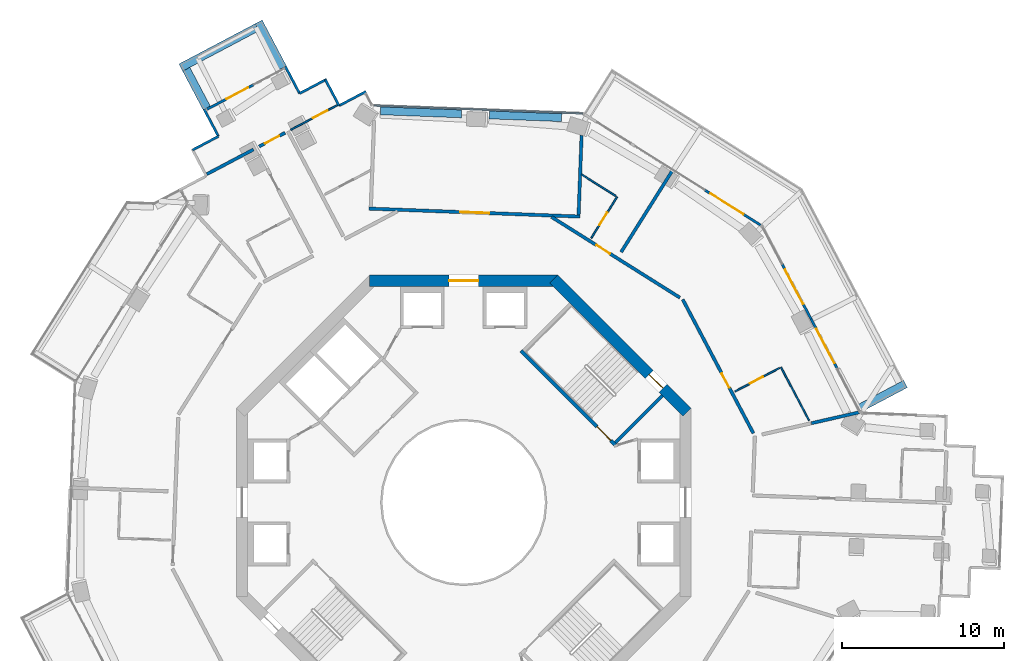
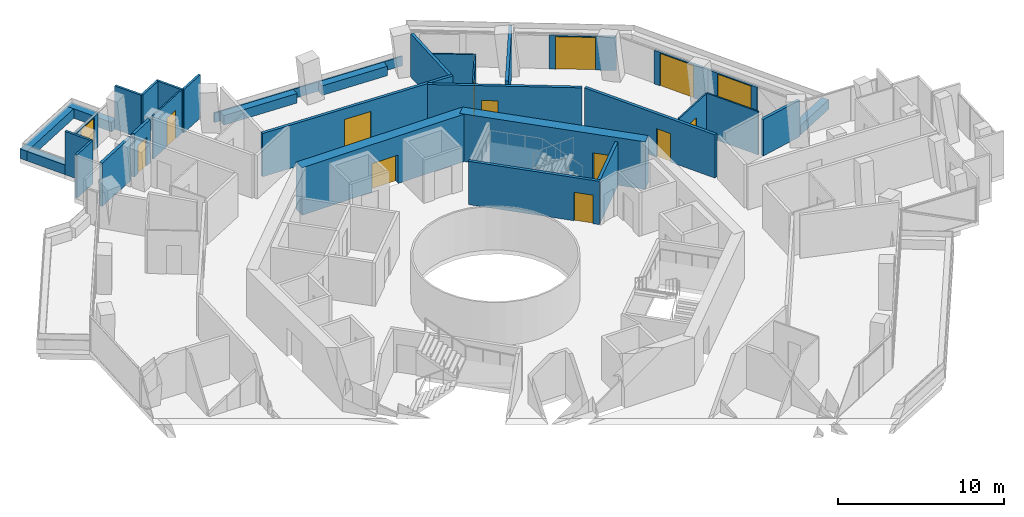
# One storey, part 19 of 23: 34 walls, 14 doors, 14 openings.
"""IFC4 building model written with IfcOpenShell, lengths in metres."""

from ifc_helpers import new_model, si_unit, direction, frame, frame_2d, origin, place, context, subcontext, project, spatial, rectangle, extrude, material, layer, layer_set, type_object, element, fill, save


model = new_model("IFC4")

# Units and contexts
model_context = context("Model", 3, precision=1e-05, world=origin(), true_north=direction((0.0, 1.0)))
body_context = subcontext(model_context, "Body", "Model", "MODEL_VIEW")
ifc_project = project(units=[si_unit("LENGTHUNIT", "METRE"), si_unit("AREAUNIT", "SQUARE_METRE"), si_unit("VOLUMEUNIT", "CUBIC_METRE"), si_unit("PLANEANGLEUNIT", "RADIAN"), si_unit("MASSUNIT", "GRAM", prefix="KILO")], contexts=[model_context])

# Site, building, storey
site_placement = place(None, origin())
site = spatial("IfcSite", under=ifc_project, at=site_placement, CompositionType="ELEMENT")
building_placement = place(site_placement, origin())
building = spatial("IfcBuilding", under=site, at=building_placement, Name="Verdalira Terraces Hotel", CompositionType="ELEMENT")
storey_placement = place(building_placement, frame((0.0, 0.0, 147.0)))
storey = spatial("IfcBuildingStorey", under=building, at=storey_placement, Name="L35", CompositionType="ELEMENT", Elevation=147.0)

# Walls
ifc_material_1 = material(Name="Concrete C40", Category="concrete")
ifc_layer_1 = layer(ifc_material_1, 0.5)
ifc_layer_set_1 = layer_set([ifc_layer_1], Name="Balcony planter trough with tree")
wall_type_1 = type_object("IfcWallType", Name="Balcony planter trough with tree", PredefinedType="SOLIDWALL", material=ifc_layer_set_1)
wall_1_placement = place(storey_placement, frame((-11.134033, 26.756592, 0.0), z_axis=(0.0, 0.0, 1.0), x_axis=(-0.467066996, 0.88422193, 0.0)))
element("IfcWall", 1, at=wall_1_placement, inside=storey, type_object=wall_type_1, Name="Balcony planter", PredefinedType="SOLIDWALL", context=body_context, shape_type="SweptSolid", body=[
    extrude(rectangle(XDim=3.198975, YDim=0.5, at=frame_2d((1.599609, 0.0))), origin(), (0.0, 0.0, 1.0), 0.699951),
])
wall_2_placement = place(storey_placement, frame((-12.732422, 29.247559, 0.0), z_axis=(0.0, 0.0, 1.0), x_axis=(-0.884255838, -0.467002797, 0.0)))
element("IfcWall", 2, at=wall_2_placement, inside=storey, type_object=wall_type_1, Name="Balcony planter", PredefinedType="SOLIDWALL", context=body_context, shape_type="SweptSolid", body=[
    extrude(rectangle(XDim=5.300049, YDim=0.5, at=frame_2d((2.649902, 0.0))), origin(), (0.0, 0.0, 1.0), 0.699951),
])
wall_3_placement = place(storey_placement, frame((-17.081055, 26.667969, 0.0), z_axis=(0.0, 0.0, 1.0), x_axis=(0.466968904, -0.884273738, 0.0)))
element("IfcWall", 3, at=wall_3_placement, inside=storey, type_object=wall_type_1, Name="Balcony planter", PredefinedType="SOLIDWALL", context=body_context, shape_type="SweptSolid", body=[
    extrude(rectangle(XDim=2.69873, YDim=0.5, at=frame_2d((1.349365, 0.0))), origin(), (0.0, 0.0, 1.0), 0.699951),
])
wall_4_placement = place(storey_placement, frame((24.370117, 5.80249, 0.0), z_axis=(0.0, 0.0, 1.0), x_axis=(0.884238577, 0.467035479, 0.0)))
element("IfcWall", 4, at=wall_4_placement, inside=storey, type_object=wall_type_1, Name="Balcony planter", PredefinedType="SOLIDWALL", context=body_context, shape_type="SweptSolid", body=[
    extrude(rectangle(XDim=3.199219, YDim=0.5, at=frame_2d((1.599609, 0.0))), origin(), (0.0, 0.0, 1.0), 0.699951),
])

# Wall, opening, door
ifc_material_2 = material(Name="Moisture-resistant gypsum board partition")
ifc_layer_2 = layer(ifc_material_2, 0.10009765625)
ifc_layer_set_2 = layer_set([ifc_layer_2], Name="Bathroom partition 100 mm")
wall_type_2 = type_object("IfcWallType", Name="Bathroom partition 100 mm", PredefinedType="PARTITIONING", material=ifc_layer_set_2)
wall_5_placement = place(storey_placement, frame((-7.770508, 24.460693, 0.0), z_axis=(0.0, 0.0, 1.0), x_axis=(-0.884251294, -0.467011402, 0.0)))
wall_5 = element("IfcWall", 5, at=wall_5_placement, inside=storey, type_object=wall_type_2, Name="Bathroom partition", PredefinedType="PARTITIONING", context=body_context, shape_type="SweptSolid", body=[
    extrude(rectangle(XDim=3.252197, YDim=0.100098, at=frame_2d((1.625977, 0.0))), origin(), (0.0, 0.0, 1.0), 3.189941),
])
opening_1_placement = place(wall_5_placement, frame((0.699951, 0.0, 0.0)))
opening_1 = element("IfcOpeningElement", 6, at=opening_1_placement, cuts=wall_5, Name="Opening L35-102", PredefinedType="OPENING", context=body_context, shape_type="SweptSolid", body=[
    extrude(rectangle(XDim=1.0, YDim=2.100098, at=frame_2d((0.5, 1.050049))), frame((0.0, 0.060059, 0.0), z_axis=(0.0, -1.0, 0.0), x_axis=(1.0, 0.0, 0.0)), (0.0, 0.0, 1.0), 0.120117),
])
ifc_material_3 = material(Name="Timber door", Category="wood")
door_type_1 = type_object("IfcDoorType", Name="Suite internal door 1000 x 2100", OperationType="NOTDEFINED", PredefinedType="DOOR", material=ifc_material_3)
door_1_placement = place(opening_1_placement, origin())
door_1 = element("IfcDoor", 7, at=door_1_placement, inside=storey, type_object=door_type_1, Name="Suite internal door 3501", OperationType="SINGLE_SWING_LEFT", OverallHeight=2.10009765625, OverallWidth=1.0, PredefinedType="DOOR", context=body_context, shape_type="SweptSolid", body=[
    extrude(rectangle(XDim=1.0, YDim=2.100098, at=frame_2d((0.5, 1.050049))), frame((0.0, 0.024902, 0.0), z_axis=(0.0, -1.0, 0.0), x_axis=(1.0, 0.0, 0.0)), (0.0, 0.0, 1.0), 0.050049),
])
fill(opening_1, door_1)

# Wall
wall_6_placement = place(storey_placement, frame((7.249023, 20.198975, 0.0), z_axis=(0.0, 0.0, 1.0), x_axis=(0.846572341, -0.532273681, 0.0)))
element("IfcWall", 8, at=wall_6_placement, inside=storey, type_object=wall_type_2, Name="Bathroom partition", PredefinedType="PARTITIONING", context=body_context, shape_type="SweptSolid", body=[
    extrude(rectangle(XDim=2.496582, YDim=0.100098, at=frame_2d((1.248291, 0.0))), origin(), (0.0, 0.0, 1.0), 3.189941),
])

# Wall, opening, door
wall_7_placement = place(storey_placement, frame((7.850342, 16.2771, 0.0), z_axis=(0.0, 0.0, 1.0), x_axis=(0.532286535, 0.846564259, 0.0)))
wall_7 = element("IfcWall", 9, at=wall_7_placement, inside=storey, type_object=wall_type_2, Name="Bathroom partition", PredefinedType="PARTITIONING", context=body_context, shape_type="SweptSolid", body=[
    extrude(rectangle(XDim=3.0, YDim=0.100098, at=frame_2d((1.5, 0.0))), origin(), (0.0, 0.0, 1.0), 3.189941),
])
opening_2_placement = place(wall_7_placement, frame((0.949951, 0.0, 0.0)))
opening_2 = element("IfcOpeningElement", 10, at=opening_2_placement, cuts=wall_7, Name="Opening L35-130", PredefinedType="OPENING", context=body_context, shape_type="SweptSolid", body=[
    extrude(rectangle(XDim=0.899902, YDim=2.100098, at=frame_2d((0.449951, 1.050049))), frame((0.0, 0.060059, 0.0), z_axis=(0.0, -1.0, 0.0), x_axis=(1.0, 0.0, 0.0)), (0.0, 0.0, 1.0), 0.120117),
])
ifc_material_4 = material(Name="Timber door", Category="wood")
door_type_2 = type_object("IfcDoorType", Name="Bathroom door 900 x 2100", OperationType="NOTDEFINED", PredefinedType="DOOR", material=ifc_material_4)
door_2_placement = place(opening_2_placement, origin())
door_2 = element("IfcDoor", 11, at=door_2_placement, inside=storey, type_object=door_type_2, Name="Bathroom door 3511", OperationType="SINGLE_SWING_RIGHT", OverallHeight=2.10009765625, OverallWidth=0.89990234375, PredefinedType="DOOR", context=body_context, shape_type="SweptSolid", body=[
    extrude(rectangle(XDim=0.899902, YDim=2.100098, at=frame_2d((0.449951, 1.050049))), frame((0.0, 0.024902, 0.0), z_axis=(0.0, -1.0, 0.0), x_axis=(1.0, 0.0, 0.0)), (0.0, 0.0, 1.0), 0.050049),
])
fill(opening_2, door_2)

wall_8_placement = place(storey_placement, frame((19.442139, 8.279541, 0.0), z_axis=(0.0, 0.0, 1.0), x_axis=(-0.884251068, -0.46701183, 0.0)))
wall_8 = element("IfcWall", 12, at=wall_8_placement, inside=storey, type_object=wall_type_2, Name="Bathroom partition", PredefinedType="PARTITIONING", context=body_context, shape_type="SweptSolid", body=[
    extrude(rectangle(XDim=3.100098, YDim=0.100098, at=frame_2d((1.550049, 0.0))), origin(), (0.0, 0.0, 1.0), 3.189941),
])
opening_3_placement = place(wall_8_placement, frame((1.149902, 0.0, 0.0)))
opening_3 = element("IfcOpeningElement", 13, at=opening_3_placement, cuts=wall_8, Name="Opening L35-128", PredefinedType="OPENING", context=body_context, shape_type="SweptSolid", body=[
    extrude(rectangle(XDim=0.899902, YDim=2.100098, at=frame_2d((0.449951, 1.050049))), frame((0.0, 0.060059, 0.0), z_axis=(0.0, -1.0, 0.0), x_axis=(1.0, 0.0, 0.0)), (0.0, 0.0, 1.0), 0.120117),
])
door_3_placement = place(opening_3_placement, origin())
door_3 = element("IfcDoor", 14, at=door_3_placement, inside=storey, type_object=door_type_2, Name="Bathroom door 3510", OperationType="SINGLE_SWING_LEFT", OverallHeight=2.10009765625, OverallWidth=0.89990234375, PredefinedType="DOOR", context=body_context, shape_type="SweptSolid", body=[
    extrude(rectangle(XDim=0.899902, YDim=2.100098, at=frame_2d((0.449951, 1.050049))), frame((0.0, 0.024902, 0.0), z_axis=(0.0, -1.0, 0.0), x_axis=(1.0, 0.0, 0.0)), (0.0, 0.0, 1.0), 0.050049),
])
fill(opening_3, door_3)

# Wall
wall_9_placement = place(storey_placement, frame((19.530518, 8.326172, 0.0), z_axis=(0.0, 0.0, 1.0), x_axis=(0.467009214, -0.884252449, 0.0)))
element("IfcWall", 15, at=wall_9_placement, inside=storey, type_object=wall_type_2, Name="Bathroom partition", PredefinedType="PARTITIONING", context=body_context, shape_type="SweptSolid", body=[
    extrude(rectangle(XDim=3.703857, YDim=0.100098, at=frame_2d((1.852051, 0.0))), origin(), (0.0, 0.0, 1.0), 3.189941),
])

# Wall, opening, door
ifc_material_5 = material(Name="Concrete C50", Category="concrete")
ifc_layer_3 = layer(ifc_material_5, 0.199951171875)
ifc_layer_set_3 = layer_set([ifc_layer_3], Name="Core RC wall 200 C50")
wall_type_3 = type_object("IfcWallType", Name="Core RC wall 200 C50", PredefinedType="SOLIDWALL", material=ifc_layer_set_3)
wall_10_placement = place(storey_placement, frame((3.5354, 9.33374, 0.0), z_axis=(0.0, 0.0, 1.0), x_axis=(0.707106781, -0.707106781, 0.0)))
wall_10 = element("IfcWall", 16, at=wall_10_placement, inside=storey, type_object=wall_type_3, Name="L35 stair ST1 front wall", PredefinedType="SOLIDWALL", context=body_context, shape_type="SweptSolid", body=[
    extrude(rectangle(XDim=8.200195, YDim=0.199951, at=frame_2d((4.100098, 0.0))), origin(), (0.0, 0.0, 1.0), 3.189941),
])
opening_4_placement = place(wall_10_placement, frame((6.600098, 0.0, 0.0)))
opening_4 = element("IfcOpeningElement", 17, at=opening_4_placement, cuts=wall_10, Name="Opening L35-809", PredefinedType="OPENING", context=body_context, shape_type="SweptSolid", body=[
    extrude(rectangle(XDim=1.199951, YDim=2.100098, at=frame_2d((0.600098, 1.050049))), frame((0.0, 0.109863, 0.0), z_axis=(0.0, -1.0, 0.0), x_axis=(1.0, 0.0, 0.0)), (0.0, 0.0, 1.0), 0.219971),
])
ifc_material_6 = material(Name="Steel fire door", Category="steel")
door_type_3 = type_object("IfcDoorType", Name="Stair door 1200 x 2100", OperationType="NOTDEFINED", PredefinedType="DOOR", material=ifc_material_6)
door_4_placement = place(opening_4_placement, origin())
door_4 = element("IfcDoor", 18, at=door_4_placement, inside=storey, type_object=door_type_3, Name="Stair door ST1 L35", OperationType="SINGLE_SWING_RIGHT", OverallHeight=2.10009765625, OverallWidth=1.199951171875, PredefinedType="DOOR", context=body_context, shape_type="SweptSolid", body=[
    extrude(rectangle(XDim=1.199951, YDim=2.100098, at=frame_2d((0.600098, 1.050049))), frame((0.0, 0.024902, 0.0), z_axis=(0.0, -1.0, 0.0), x_axis=(1.0, 0.0, 0.0)), (0.0, 0.0, 1.0), 0.050049),
])
fill(opening_4, door_4)

# Wall
wall_11_placement = place(storey_placement, frame((9.33374, 3.677002, 0.0), z_axis=(0.0, 0.0, 1.0), x_axis=(0.707106781, 0.707106781, 0.0)))
element("IfcWall", 19, at=wall_11_placement, inside=storey, type_object=wall_type_3, Name="L35 stair ST1 end wall 1", PredefinedType="SOLIDWALL", context=body_context, shape_type="SweptSolid", body=[
    extrude(rectangle(XDim=4.100098, YDim=0.199951, at=frame_2d((2.050049, 0.0))), origin(), (0.0, 0.0, 1.0), 3.189941),
])

# Wall, opening, door
ifc_material_7 = material(Name="Concrete C60", Category="concrete")
ifc_layer_4 = layer(ifc_material_7, 0.699951171875)
ifc_layer_set_4 = layer_set([ifc_layer_4], Name="Core wall 700 C60")
wall_type_4 = type_object("IfcWallType", Name="Core wall 700 C60", PredefinedType="SHEAR", material=ifc_layer_set_4)
wall_12_placement = place(storey_placement, frame((13.752441, 5.551514, 0.0), z_axis=(0.0, 0.0, 1.0), x_axis=(-0.707106781, 0.707106781, 0.0)))
wall_12 = element("IfcWall", 20, at=wall_12_placement, inside=storey, type_object=wall_type_4, Name="Core wall CW-L35-2", PredefinedType="SHEAR", context=body_context, shape_type="SweptSolid", body=[
    extrude(rectangle(XDim=11.5979, YDim=0.699951, at=frame_2d((5.798828, 0.0))), origin(), (0.0, 0.0, 1.0), 3.5),
])
opening_5_placement = place(wall_12_placement, frame((2.099121, 0.0, 0.0)))
opening_5 = element("IfcOpeningElement", 21, at=opening_5_placement, cuts=wall_12, Name="Opening L35-816", PredefinedType="OPENING", context=body_context, shape_type="SweptSolid", body=[
    extrude(rectangle(XDim=1.199951, YDim=2.100098, at=frame_2d((0.600098, 1.050049))), frame((0.0, 0.359863, 0.0), z_axis=(0.0, -1.0, 0.0), x_axis=(1.0, 0.0, 0.0)), (0.0, 0.0, 1.0), 0.719971),
])
door_5_placement = place(opening_5_placement, origin())
door_5 = element("IfcDoor", 22, at=door_5_placement, inside=storey, type_object=door_type_3, Name="Stair exit door ST1 L35", OperationType="SINGLE_SWING_LEFT", OverallHeight=2.10009765625, OverallWidth=1.199951171875, PredefinedType="DOOR", context=body_context, shape_type="SweptSolid", body=[
    extrude(rectangle(XDim=1.199951, YDim=2.100098, at=frame_2d((0.600098, 1.050049))), frame((0.0, 0.024902, 0.0), z_axis=(0.0, -1.0, 0.0), x_axis=(1.0, 0.0, 0.0)), (0.0, 0.0, 1.0), 0.050049),
])
fill(opening_5, door_5)

wall_13_placement = place(storey_placement, frame((5.799072, 13.649902, 0.0), z_axis=(0.0, 0.0, 1.0), x_axis=(-1.0, 0.0, 0.0)))
wall_13 = element("IfcWall", 23, at=wall_13_placement, inside=storey, type_object=wall_type_4, Name="Core wall CW-L35-3", PredefinedType="SHEAR", context=body_context, shape_type="SweptSolid", body=[
    extrude(rectangle(XDim=11.598145, YDim=0.699951, at=frame_2d((5.799072, 0.0))), origin(), (0.0, 0.0, 1.0), 3.5),
])
opening_6_placement = place(wall_13_placement, frame((4.898926, 0.0, 0.0)))
opening_6 = element("IfcOpeningElement", 24, at=opening_6_placement, cuts=wall_13, Name="Opening L35-813", PredefinedType="OPENING", context=body_context, shape_type="SweptSolid", body=[
    extrude(rectangle(XDim=1.800049, YDim=2.100098, at=frame_2d((0.899902, 1.050049))), frame((0.0, 0.359863, 0.0), z_axis=(0.0, -1.0, 0.0), x_axis=(1.0, 0.0, 0.0)), (0.0, 0.0, 1.0), 0.719971),
])
ifc_material_8 = material(Name="Steel fire door", Category="steel")
door_type_4 = type_object("IfcDoorType", Name="Core entry door pair 1800 x 2100", OperationType="NOTDEFINED", PredefinedType="DOOR", material=ifc_material_8)
door_6_placement = place(opening_6_placement, origin())
door_6 = element("IfcDoor", 25, at=door_6_placement, inside=storey, type_object=door_type_4, Name="Core entry door L35 2", OperationType="DOUBLE_DOOR_SINGLE_SWING", OverallHeight=2.10009765625, OverallWidth=1.800048828125, PredefinedType="DOOR", context=body_context, shape_type="SweptSolid", body=[
    extrude(rectangle(XDim=1.800049, YDim=2.100098, at=frame_2d((0.899902, 1.050049))), frame((0.0, 0.024902, 0.0), z_axis=(0.0, -1.0, 0.0), x_axis=(1.0, 0.0, 0.0)), (0.0, 0.0, 1.0), 0.050049),
])
fill(opening_6, door_6)

# Walls
ifc_material_9 = material(Name="Fire-rated gypsum board wall")
ifc_layer_5 = layer(ifc_material_9, 0.199951171875)
ifc_layer_set_5 = layer_set([ifc_layer_5], Name="Demising wall 200 mm")
wall_type_5 = type_object("IfcWallType", Name="Demising wall 200 mm", PredefinedType="SOLIDWALL", material=ifc_layer_set_5)
wall_14_placement = place(storey_placement, frame((-12.943604, 21.728516, 0.0), z_axis=(0.0, 0.0, 1.0), x_axis=(-0.884265923, -0.466983702, 0.0)))
element("IfcWall", 26, at=wall_14_placement, inside=storey, type_object=wall_type_5, Name="Demising wall", PredefinedType="SOLIDWALL", context=body_context, shape_type="SweptSolid", body=[
    extrude(rectangle(XDim=3.251953, YDim=0.199951, at=frame_2d((1.625977, 0.0))), origin(), (0.0, 0.0, 1.0), 3.189941),
])
wall_15_placement = place(storey_placement, frame((9.690674, 15.412109, 0.0), z_axis=(0.0, 0.0, 1.0), x_axis=(0.532272342, 0.846573183, 0.0)))
element("IfcWall", 27, at=wall_15_placement, inside=storey, type_object=wall_type_5, Name="Demising wall", PredefinedType="SOLIDWALL", context=body_context, shape_type="SweptSolid", body=[
    extrude(rectangle(XDim=5.902588, YDim=0.199951, at=frame_2d((2.951172, 0.0))), origin(), (0.0, 0.0, 1.0), 3.189941),
])
ifc_material_10 = material(Name="Fire-rated gypsum board wall")
ifc_layer_6 = layer(ifc_material_10, 0.199951171875)
ifc_layer_set_6 = layer_set([ifc_layer_6], Name="Demising wall 200 mm to beam soffit")
wall_type_6 = type_object("IfcWallType", Name="Demising wall 200 mm to beam soffit", PredefinedType="SOLIDWALL", material=ifc_layer_set_6)
wall_16_placement = place(storey_placement, frame((21.403809, 4.878418, 0.0), z_axis=(0.0, 0.0, 1.0), x_axis=(0.974995688, 0.22222378, 0.0)))
element("IfcWall", 28, at=wall_16_placement, inside=storey, type_object=wall_type_6, Name="Demising wall", PredefinedType="SOLIDWALL", context=body_context, shape_type="SweptSolid", body=[
    extrude(rectangle(XDim=3.01123, YDim=0.199951, at=frame_2d((1.505615, 0.0))), origin(), (0.0, 0.0, 1.0), 2.689941),
])

# Wall, opening, door
ifc_material_11 = material(Name="Fire-rated gypsum board wall")
ifc_layer_7 = layer(ifc_material_11, 0.199951171875)
ifc_layer_set_7 = layer_set([ifc_layer_7], Name="Guest corridor wall 200 mm")
wall_type_7 = type_object("IfcWallType", Name="Guest corridor wall 200 mm", PredefinedType="SOLIDWALL", material=ifc_layer_set_7)
wall_17_placement = place(storey_placement, frame((-12.593262, 21.913574, 0.0), z_axis=(0.0, 0.0, 1.0), x_axis=(0.884245055, 0.467023215, 0.0)))
wall_17 = element("IfcWall", 29, at=wall_17_placement, inside=storey, type_object=wall_type_7, Name="Guest corridor wall", PredefinedType="SOLIDWALL", context=body_context, shape_type="SweptSolid", body=[
    extrude(rectangle(XDim=1.803955, YDim=0.199951, at=frame_2d((0.901855, 0.0))), origin(), (0.0, 0.0, 1.0), 3.189941),
])
opening_7_placement = place(wall_17_placement, frame((0.399902, 0.0, 0.0)))
opening_7 = element("IfcOpeningElement", 30, at=opening_7_placement, cuts=wall_17, Name="Opening L35-101", PredefinedType="OPENING", context=body_context, shape_type="SweptSolid", body=[
    extrude(rectangle(XDim=1.0, YDim=2.100098, at=frame_2d((0.5, 1.050049))), frame((0.0, 0.109863, 0.0), z_axis=(0.0, -1.0, 0.0), x_axis=(1.0, 0.0, 0.0)), (0.0, 0.0, 1.0), 0.219971),
])
ifc_material_12 = material(Name="Timber fire door", Category="wood")
door_type_5 = type_object("IfcDoorType", Name="Guest entry door 1000 x 2100", OperationType="NOTDEFINED", PredefinedType="DOOR", material=ifc_material_12)
door_7_placement = place(opening_7_placement, origin())
door_7 = element("IfcDoor", 31, at=door_7_placement, inside=storey, type_object=door_type_5, Name="Guest entry door 3501", OperationType="SINGLE_SWING_LEFT", OverallHeight=2.10009765625, OverallWidth=1.0, PredefinedType="DOOR", context=body_context, shape_type="SweptSolid", body=[
    extrude(rectangle(XDim=1.0, YDim=2.100098, at=frame_2d((0.5, 1.050049))), frame((0.0, 0.024902, 0.0), z_axis=(0.0, -1.0, 0.0), x_axis=(1.0, 0.0, 0.0)), (0.0, 0.0, 1.0), 0.050049),
])
fill(opening_7, door_7)

wall_18_placement = place(storey_placement, frame((5.407227, 17.576904, 0.0), z_axis=(0.0, 0.0, 1.0), x_axis=(0.846570227, -0.532277043, 0.0)))
wall_18 = element("IfcWall", 32, at=wall_18_placement, inside=storey, type_object=wall_type_7, Name="Guest corridor wall", PredefinedType="SOLIDWALL", context=body_context, shape_type="SweptSolid", body=[
    extrude(rectangle(XDim=9.336182, YDim=0.199951, at=frame_2d((4.667969, 0.0))), origin(), (0.0, 0.0, 1.0), 3.189941),
])
opening_8_placement = place(wall_18_placement, frame((3.26001, 0.0, 0.0)))
opening_8 = element("IfcOpeningElement", 33, at=opening_8_placement, cuts=wall_18, Name="Opening L35-129", PredefinedType="OPENING", context=body_context, shape_type="SweptSolid", body=[
    extrude(rectangle(XDim=1.0, YDim=2.100098, at=frame_2d((0.5, 1.050049))), frame((0.0, 0.109863, 0.0), z_axis=(0.0, -1.0, 0.0), x_axis=(1.0, 0.0, 0.0)), (0.0, 0.0, 1.0), 0.219971),
])
door_8_placement = place(opening_8_placement, origin())
door_8 = element("IfcDoor", 34, at=door_8_placement, inside=storey, type_object=door_type_5, Name="Guest entry door 3511", OperationType="SINGLE_SWING_RIGHT", OverallHeight=2.10009765625, OverallWidth=1.0, PredefinedType="DOOR", context=body_context, shape_type="SweptSolid", body=[
    extrude(rectangle(XDim=1.0, YDim=2.100098, at=frame_2d((0.5, 1.050049))), frame((0.0, 0.024902, 0.0), z_axis=(0.0, -1.0, 0.0), x_axis=(1.0, 0.0, 0.0)), (0.0, 0.0, 1.0), 0.050049),
])
fill(opening_8, door_8)

wall_19_placement = place(storey_placement, frame((13.480957, 12.500244, 0.0), z_axis=(0.0, 0.0, 1.0), x_axis=(0.466998873, -0.884257911, 0.0)))
wall_19 = element("IfcWall", 35, at=wall_19_placement, inside=storey, type_object=wall_type_7, Name="Guest corridor wall", PredefinedType="SOLIDWALL", context=body_context, shape_type="SweptSolid", body=[
    extrude(rectangle(XDim=9.316162, YDim=0.199951, at=frame_2d((4.658203, 0.0))), origin(), (0.0, 0.0, 1.0), 3.189941),
])
opening_9_placement = place(wall_19_placement, frame((5.149902, 0.0, 0.0)))
opening_9 = element("IfcOpeningElement", 36, at=opening_9_placement, cuts=wall_19, Name="Opening L35-127", PredefinedType="OPENING", context=body_context, shape_type="SweptSolid", body=[
    extrude(rectangle(XDim=1.0, YDim=2.100098, at=frame_2d((0.5, 1.050049))), frame((0.0, 0.109863, 0.0), z_axis=(0.0, -1.0, 0.0), x_axis=(1.0, 0.0, 0.0)), (0.0, 0.0, 1.0), 0.219971),
])
door_9_placement = place(opening_9_placement, origin())
door_9 = element("IfcDoor", 37, at=door_9_placement, inside=storey, type_object=door_type_5, Name="Guest entry door 3510", OperationType="SINGLE_SWING_LEFT", OverallHeight=2.10009765625, OverallWidth=1.0, PredefinedType="DOOR", context=body_context, shape_type="SweptSolid", body=[
    extrude(rectangle(XDim=1.0, YDim=2.100098, at=frame_2d((0.5, 1.050049))), frame((0.0, 0.024902, 0.0), z_axis=(0.0, -1.0, 0.0), x_axis=(1.0, 0.0, 0.0)), (0.0, 0.0, 1.0), 0.050049),
])
fill(opening_9, door_9)

ifc_material_13 = material(Name="Terracotta cladding", Category="masonry")
ifc_layer_8 = layer(ifc_material_13, 0.199951171875)
ifc_layer_set_8 = layer_set([ifc_layer_8], Name="Loggia back wall 200")
wall_type_8 = type_object("IfcWallType", Name="Loggia back wall 200", PredefinedType="SOLIDWALL", material=ifc_layer_set_8)
wall_20_placement = place(storey_placement, frame((-5.822266, 18.090576, 0.0), z_axis=(0.0, 0.0, 1.0), x_axis=(0.999289416, -0.037691672, 0.0)))
wall_20 = element("IfcWall", 38, at=wall_20_placement, inside=storey, type_object=wall_type_8, Name="Loggia back wall", PredefinedType="SOLIDWALL", context=body_context, shape_type="SweptSolid", body=[
    extrude(rectangle(XDim=13.0, YDim=0.199951, at=frame_2d((6.5, 0.0))), origin(), (0.0, 0.0, 1.0), 3.189941),
])
opening_10_placement = place(wall_20_placement, frame((5.600098, 0.0, 0.0)))
opening_10 = element("IfcOpeningElement", 39, at=opening_10_placement, cuts=wall_20, Name="Opening L35-L01", PredefinedType="OPENING", context=body_context, shape_type="SweptSolid", body=[
    extrude(rectangle(XDim=1.800049, YDim=2.399902, at=frame_2d((0.899902, 1.199951))), frame((0.0, 0.109863, 0.0), z_axis=(0.0, -1.0, 0.0), x_axis=(1.0, 0.0, 0.0)), (0.0, 0.0, 1.0), 0.219971),
])
ifc_material_14 = material(Name="Clear glass", Category="glass")
door_type_6 = type_object("IfcDoorType", Name="Garden double door 1800x2400", OperationType="NOTDEFINED", PredefinedType="DOOR", material=ifc_material_14)
door_10_placement = place(opening_10_placement, origin())
door_10 = element("IfcDoor", 40, at=door_10_placement, inside=storey, type_object=door_type_6, Name="Loggia double door", OperationType="DOUBLE_DOOR_SINGLE_SWING", OverallHeight=2.39990234375, OverallWidth=1.800048828125, PredefinedType="DOOR", context=body_context, shape_type="SweptSolid", body=[
    extrude(rectangle(XDim=1.800049, YDim=2.399902, at=frame_2d((0.899902, 1.199951))), frame((0.0, 0.024902, 0.0), z_axis=(0.0, -1.0, 0.0), x_axis=(1.0, 0.0, 0.0)), (0.0, 0.0, 1.0), 0.050049),
])
fill(opening_10, door_10)

# Walls
wall_21_placement = place(storey_placement, frame((7.25708, 22.605225, 0.0), z_axis=(0.0, 0.0, 1.0), x_axis=(-0.037683686, -0.999289718, 0.0)))
element("IfcWall", 41, at=wall_21_placement, inside=storey, type_object=wall_type_8, Name="Loggia side wall", PredefinedType="SOLIDWALL", context=body_context, shape_type="SweptSolid", body=[
    extrude(rectangle(XDim=4.904297, YDim=0.199951, at=frame_2d((2.452148, 0.0))), origin(), (0.0, 0.0, 1.0), 3.189941),
])
ifc_material_15 = material(Name="Concrete C40", Category="concrete")
ifc_layer_9 = layer(ifc_material_15, 0.5)
ifc_layer_set_9 = layer_set([ifc_layer_9], Name="Loggia planter trough with tree")
wall_type_9 = type_object("IfcWallType", Name="Loggia planter trough with tree", PredefinedType="SOLIDWALL", material=ifc_layer_set_9)
wall_22_placement = place(storey_placement, frame((6.029541, 23.697998, 0.0), z_axis=(0.0, 0.0, 1.0), x_axis=(-0.999289619, 0.037686305, 0.0)))
element("IfcWall", 42, at=wall_22_placement, inside=storey, type_object=wall_type_9, Name="Loggia planter", PredefinedType="SOLIDWALL", context=body_context, shape_type="SweptSolid", body=[
    extrude(rectangle(XDim=4.457031, YDim=0.5, at=frame_2d((2.228516, 0.0))), origin(), (0.0, 0.0, 1.0), 0.699951),
])
wall_23_placement = place(storey_placement, frame((-0.133545, 23.93042, 0.0), z_axis=(0.0, 0.0, 1.0), x_axis=(-0.999289597, 0.037686878, 0.0)))
element("IfcWall", 43, at=wall_23_placement, inside=storey, type_object=wall_type_9, Name="Loggia planter", PredefinedType="SOLIDWALL", context=body_context, shape_type="SweptSolid", body=[
    extrude(rectangle(XDim=4.988281, YDim=0.5, at=frame_2d((2.494141, 0.0))), origin(), (0.0, 0.0, 1.0), 0.699951),
])
ifc_material_16 = material(Name="Concrete C40", Category="concrete")
ifc_layer_10 = layer(ifc_material_16, 0.10009765625)
ifc_layer_set_10 = layer_set([ifc_layer_10], Name="Loggia upstand 100")
wall_type_10 = type_object("IfcWallType", Name="Loggia upstand 100", PredefinedType="SOLIDWALL", material=ifc_layer_set_10)
wall_24_placement = place(storey_placement, frame((7.327881, 23.949219, 0.0), z_axis=(0.0, 0.0, 1.0), x_axis=(-0.999289627, 0.037686082, 0.0)))
element("IfcWall", 44, at=wall_24_placement, inside=storey, type_object=wall_type_10, Name="Loggia upstand", PredefinedType="SOLIDWALL", context=body_context, shape_type="SweptSolid", body=[
    extrude(rectangle(XDim=12.839844, YDim=0.100098, at=frame_2d((6.419922, 0.0))), origin(), (0.0, 0.0, 1.0), 0.699951),
])
ifc_material_17 = material(Name="Terracotta cladding", Category="masonry")
ifc_layer_11 = layer(ifc_material_17, 0.14990234375)
ifc_layer_set_11 = layer_set([ifc_layer_11], Name="Terracotta clad wall 150")
wall_type_11 = type_object("IfcWallType", Name="Terracotta clad wall 150", PredefinedType="SOLIDWALL", material=ifc_layer_set_11)
wall_25_placement = place(storey_placement, frame((-6.012939, 25.303955, 0.0), z_axis=(0.0, 0.0, 1.0), x_axis=(-0.884313082, -0.466894392, 0.0)))
element("IfcWall", 45, at=wall_25_placement, inside=storey, type_object=wall_type_11, Name="Terracotta cladding wall", PredefinedType="SOLIDWALL", context=body_context, shape_type="SweptSolid", body=[
    extrude(rectangle(XDim=1.875244, YDim=0.149902, at=frame_2d((0.9375, 0.0))), origin(), (0.0, 0.0, 1.0), 3.189941),
])
wall_26_placement = place(storey_placement, frame((-7.671143, 24.428467, 0.0), z_axis=(0.0, 0.0, 1.0), x_axis=(-0.467014985, 0.884249401, 0.0)))
element("IfcWall", 46, at=wall_26_placement, inside=storey, type_object=wall_type_11, Name="Terracotta cladding wall", PredefinedType="SOLIDWALL", context=body_context, shape_type="SweptSolid", body=[
    extrude(rectangle(XDim=1.799805, YDim=0.149902, at=frame_2d((0.899902, 0.0))), origin(), (0.0, 0.0, 1.0), 3.189941),
])
for number, where, z_axis, x_axis, name in (
    (47, (-8.445312, 26.055176, 0.0), (0.0, 0.0, 1.0), (-0.884230925, -0.467049967, 0.0), "Terracotta cladding wall"),
    (48, (-10.103271, 25.179443, 0.0), (0.0, 0.0, 1.0), (-0.467049967, 0.884230925, 0.0), "Terracotta cladding wall"),
    (49, (-15.975098, 24.19873, 0.0), (0.0, 0.0, 1.0), (0.467049967, -0.884230925, 0.0), "Terracotta cladding wall"),
):
    element("IfcWall", number, at=place(storey_placement, frame(where, z_axis=z_axis, x_axis=x_axis)), inside=storey, type_object=wall_type_11, Name=name, PredefinedType="SOLIDWALL", context=body_context, shape_type="SweptSolid", body=[
        extrude(rectangle(XDim=1.875, YDim=0.149902, at=frame_2d((0.9375, 0.0))), origin(), (0.0, 0.0, 1.0), 3.189941),
    ])
wall_27_placement = place(storey_placement, frame((-15.099365, 22.540771, 0.0), z_axis=(0.0, 0.0, 1.0), x_axis=(-0.884249401, -0.467014985, 0.0)))
element("IfcWall", 50, at=wall_27_placement, inside=storey, type_object=wall_type_11, Name="Terracotta cladding wall", PredefinedType="SOLIDWALL", context=body_context, shape_type="SweptSolid", body=[
    extrude(rectangle(XDim=1.799805, YDim=0.149902, at=frame_2d((0.899902, 0.0))), origin(), (0.0, 0.0, 1.0), 3.189941),
])

# Wall, opening, door
ifc_material_18 = material(Name="Terracotta cladding", Category="masonry")
ifc_layer_12 = layer(ifc_material_18, 0.14990234375)
ifc_layer_set_12 = layer_set([ifc_layer_12], Name="Terracotta door pier 150")
wall_type_12 = type_object("IfcWallType", Name="Terracotta door pier 150", PredefinedType="SOLIDWALL", material=ifc_layer_set_12)
wall_28_placement = place(storey_placement, frame((-12.920166, 25.727295, 0.0), z_axis=(0.0, 0.0, 1.0), x_axis=(-0.884261071, -0.466992889, 0.0)))
wall_28 = element("IfcWall", 51, at=wall_28_placement, inside=storey, type_object=wall_type_12, Name="Terracotta door pier", PredefinedType="SOLIDWALL", context=body_context, shape_type="SweptSolid", body=[
    extrude(rectangle(XDim=3.260254, YDim=0.149902, at=frame_2d((1.630127, 0.0))), origin(), (0.0, 0.0, 1.0), 2.475098),
])
opening_11_placement = place(wall_28_placement, frame((0.399902, 0.0, 0.0)))
opening_11 = element("IfcOpeningElement", 52, at=opening_11_placement, cuts=wall_28, Name="Opening L35-B01", PredefinedType="OPENING", context=body_context, shape_type="SweptSolid", body=[
    extrude(rectangle(XDim=1.5, YDim=2.399902, at=frame_2d((0.75, 1.199951))), frame((0.0, 0.084961, 0.0), z_axis=(0.0, -1.0, 0.0), x_axis=(1.0, 0.0, 0.0)), (0.0, 0.0, 1.0), 0.169922),
])
ifc_material_19 = material(Name="Clear glass", Category="glass")
door_type_7 = type_object("IfcDoorType", Name="Balcony sliding door 1500x2400", OperationType="NOTDEFINED", PredefinedType="DOOR", material=ifc_material_19)
door_11_placement = place(opening_11_placement, origin())
door_11 = element("IfcDoor", 53, at=door_11_placement, inside=storey, type_object=door_type_7, Name="Balcony sliding door", OperationType="SLIDING_TO_RIGHT", OverallHeight=2.39990234375, OverallWidth=1.5, PredefinedType="DOOR", context=body_context, shape_type="SweptSolid", body=[
    extrude(rectangle(XDim=1.5, YDim=2.399902, at=frame_2d((0.75, 1.199951))), frame((0.0, 0.024902, 0.0), z_axis=(0.0, -1.0, 0.0), x_axis=(1.0, 0.0, 0.0)), (0.0, 0.0, 1.0), 0.050049),
])
fill(opening_11, door_11)

wall_29_placement = place(storey_placement, frame((23.00708, 8.220947, 0.0), z_axis=(0.0, 0.0, 1.0), x_axis=(-0.466999775, 0.884257434, 0.0)))
wall_29 = element("IfcWall", 54, at=wall_29_placement, inside=storey, type_object=wall_type_12, Name="Terracotta door pier", PredefinedType="SOLIDWALL", context=body_context, shape_type="SweptSolid", body=[
    extrude(rectangle(XDim=3.474854, YDim=0.149902, at=frame_2d((1.737305, 0.0))), origin(), (0.0, 0.0, 1.0), 2.475098),
])
opening_12_placement = place(wall_29_placement, frame((0.399902, 0.0, 0.0)))
opening_12 = element("IfcOpeningElement", 55, at=opening_12_placement, cuts=wall_29, Name="Opening L35-B11", PredefinedType="OPENING", context=body_context, shape_type="SweptSolid", body=[
    extrude(rectangle(XDim=2.399902, YDim=2.399902, at=frame_2d((1.199951, 1.199951))), frame((0.0, 0.084961, 0.0), z_axis=(0.0, -1.0, 0.0), x_axis=(1.0, 0.0, 0.0)), (0.0, 0.0, 1.0), 0.169922),
])
ifc_material_20 = material(Name="Clear glass", Category="glass")
door_type_8 = type_object("IfcDoorType", Name="Balcony sliding door 2400x2400", OperationType="NOTDEFINED", PredefinedType="DOOR", material=ifc_material_20)
door_12_placement = place(opening_12_placement, origin())
door_12 = element("IfcDoor", 56, at=door_12_placement, inside=storey, type_object=door_type_8, Name="Balcony sliding door", OperationType="SLIDING_TO_RIGHT", OverallHeight=2.39990234375, OverallWidth=2.39990234375, PredefinedType="DOOR", context=body_context, shape_type="SweptSolid", body=[
    extrude(rectangle(XDim=2.399902, YDim=2.399902, at=frame_2d((1.199951, 1.199951))), frame((0.0, 0.024902, 0.0), z_axis=(0.0, -1.0, 0.0), x_axis=(1.0, 0.0, 0.0)), (0.0, 0.0, 1.0), 0.050049),
])
fill(opening_12, door_12)

wall_30_placement = place(storey_placement, frame((21.384277, 11.293701, 0.0), z_axis=(0.0, 0.0, 1.0), x_axis=(-0.467013054, 0.884250421, 0.0)))
wall_30 = element("IfcWall", 57, at=wall_30_placement, inside=storey, type_object=wall_type_12, Name="Terracotta door pier", PredefinedType="SOLIDWALL", context=body_context, shape_type="SweptSolid", body=[
    extrude(rectangle(XDim=3.835449, YDim=0.149902, at=frame_2d((1.917725, 0.0))), origin(), (0.0, 0.0, 1.0), 2.475098),
])
opening_13_placement = place(wall_30_placement, frame((1.0354, 0.0, 0.0)))
opening_13 = element("IfcOpeningElement", 58, at=opening_13_placement, cuts=wall_30, Name="Opening L35-B12", PredefinedType="OPENING", context=body_context, shape_type="SweptSolid", body=[
    extrude(rectangle(XDim=2.399902, YDim=2.399902, at=frame_2d((1.199951, 1.199951))), frame((0.0, 0.084961, 0.0), z_axis=(0.0, -1.0, 0.0), x_axis=(1.0, 0.0, 0.0)), (0.0, 0.0, 1.0), 0.169922),
])
door_13_placement = place(opening_13_placement, origin())
door_13 = element("IfcDoor", 59, at=door_13_placement, inside=storey, type_object=door_type_8, Name="Balcony sliding door", OperationType="SLIDING_TO_LEFT", OverallHeight=2.39990234375, OverallWidth=2.39990234375, PredefinedType="DOOR", context=body_context, shape_type="SweptSolid", body=[
    extrude(rectangle(XDim=2.399902, YDim=2.399902, at=frame_2d((1.199951, 1.199951))), frame((0.0, 0.024902, 0.0), z_axis=(0.0, -1.0, 0.0), x_axis=(1.0, 0.0, 0.0)), (0.0, 0.0, 1.0), 0.050049),
])
fill(opening_13, door_13)

wall_31_placement = place(storey_placement, frame((18.290283, 17.066162, 0.0), z_axis=(0.0, 0.0, 1.0), x_axis=(-0.846555415, 0.532300601, 0.0)))
wall_31 = element("IfcWall", 60, at=wall_31_placement, inside=storey, type_object=wall_type_12, Name="Terracotta door pier", PredefinedType="SOLIDWALL", context=body_context, shape_type="SweptSolid", body=[
    extrude(rectangle(XDim=4.067871, YDim=0.149902, at=frame_2d((2.033936, 0.0))), origin(), (0.0, 0.0, 1.0), 2.475098),
])
opening_14_placement = place(wall_31_placement, frame((1.267822, 0.0, 0.0)))
opening_14 = element("IfcOpeningElement", 61, at=opening_14_placement, cuts=wall_31, Name="Opening L35-B13", PredefinedType="OPENING", context=body_context, shape_type="SweptSolid", body=[
    extrude(rectangle(XDim=2.399902, YDim=2.399902, at=frame_2d((1.199951, 1.199951))), frame((0.0, 0.084961, 0.0), z_axis=(0.0, -1.0, 0.0), x_axis=(1.0, 0.0, 0.0)), (0.0, 0.0, 1.0), 0.169922),
])
door_14_placement = place(opening_14_placement, origin())
door_14 = element("IfcDoor", 62, at=door_14_placement, inside=storey, type_object=door_type_8, Name="Balcony sliding door", OperationType="SLIDING_TO_LEFT", OverallHeight=2.39990234375, OverallWidth=2.39990234375, PredefinedType="DOOR", context=body_context, shape_type="SweptSolid", body=[
    extrude(rectangle(XDim=2.399902, YDim=2.399902, at=frame_2d((1.199951, 1.199951))), frame((0.0, 0.024902, 0.0), z_axis=(0.0, -1.0, 0.0), x_axis=(1.0, 0.0, 0.0)), (0.0, 0.0, 1.0), 0.050049),
])
fill(opening_14, door_14)

save(model, "model.ifc")
